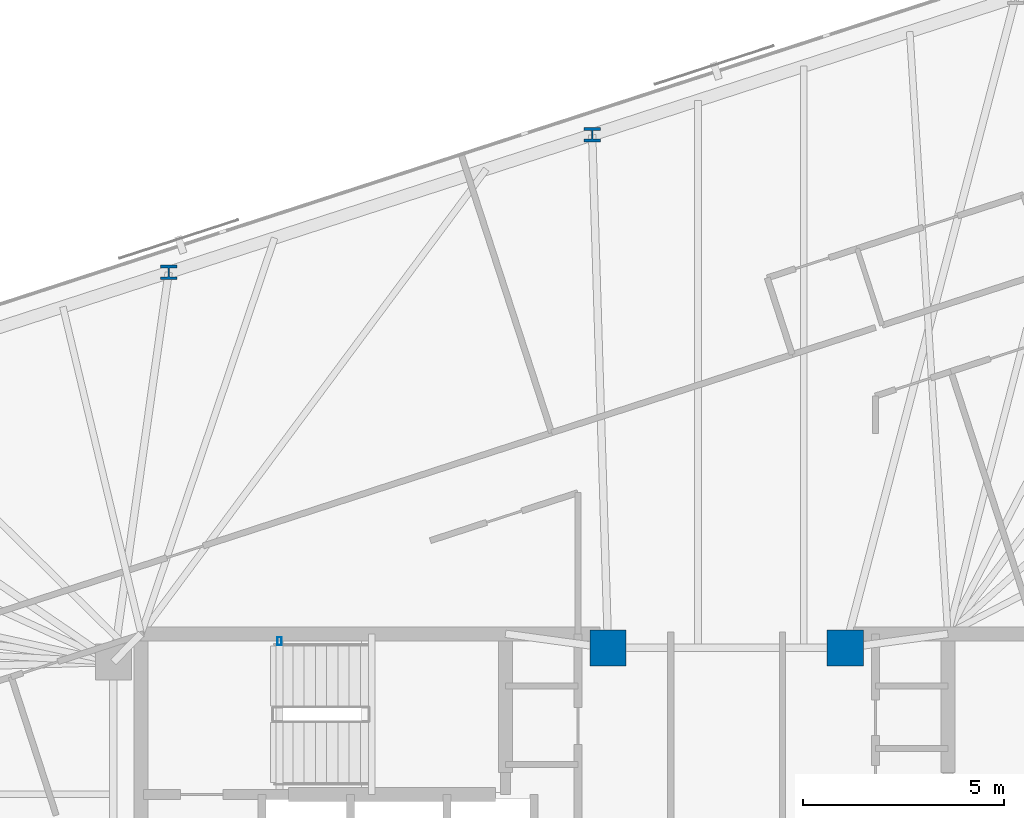
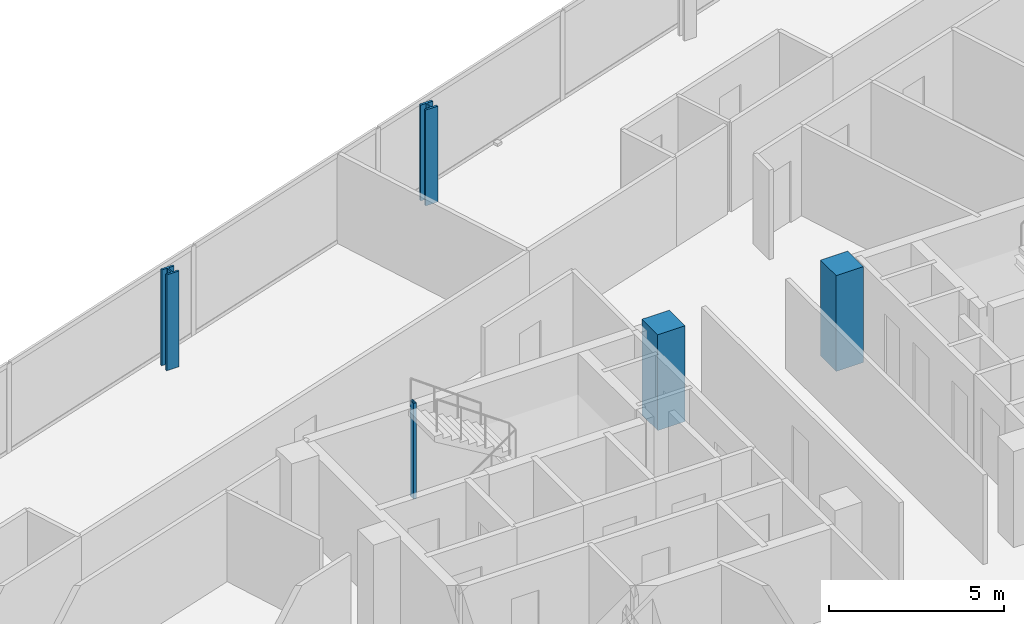
# One storey, part 2 of 19: 5 columns.
"""IFC4 building model written with IfcOpenShell, lengths in metres."""

from ifc_helpers import new_model, si_unit, direction, frame, origin, origin_2d, place, context, subcontext, project, spatial, rectangle, hollow_rectangle, i_section, extrude, material, material_profile, profile_set, type_object, element, save


model = new_model("IFC4")

# Units and contexts
model_context = context("Model", 3, precision=1e-05, world=origin(), true_north=direction((0.0, 1.0)))
body_context = subcontext(model_context, "Body", "Model", "MODEL_VIEW")
ifc_project = project(units=[si_unit("LENGTHUNIT", "METRE"), si_unit("AREAUNIT", "SQUARE_METRE"), si_unit("VOLUMEUNIT", "CUBIC_METRE"), si_unit("PLANEANGLEUNIT", "RADIAN"), si_unit("MASSUNIT", "GRAM", prefix="KILO")], contexts=[model_context])

# Site, building, storey
site_placement = place(None, origin())
site = spatial("IfcSite", under=ifc_project, at=site_placement, CompositionType="ELEMENT")
building_placement = place(site_placement, origin())
building = spatial("IfcBuilding", under=site, at=building_placement, Name="Menara Jurai Vektor", CompositionType="ELEMENT")
storey_placement = place(building_placement, frame((0.0, 0.0, 234.35009765625)))
storey = spatial("IfcBuildingStorey", under=building, at=storey_placement, Name="L62", CompositionType="ELEMENT", Elevation=234.35009765625)

# Columns
ifc_material_1 = material(Name="Concrete C50/60", Category="concrete")
ifc_material_profile_1 = material_profile(ifc_material_1, rectangle(XDim=0.89990234375, YDim=0.89990234375, at=origin_2d()), Name="RC 900x900")
ifc_profile_set_1 = profile_set([ifc_material_profile_1], Name="Concrete C50/60")
column_type_1 = type_object("IfcColumnType", Name="STR-COL-RC900", PredefinedType="COLUMN", material=ifc_profile_set_1)
for number, where, z_axis, x_axis, name in (
    (1, (-2.949951171875, 5.25, 0.0), (0.0, 0.0, 1.0), (1.0, 0.0, 0.0), "Core Spine Column CW-NE L62"),
    (2, (2.949951171875, 5.25, 0.0), (0.0, 0.0, 1.0), (1.0, 0.0, 0.0), "Core Spine Column CE-NW L62"),
):
    element("IfcColumn", number, at=place(storey_placement, frame(where, z_axis=z_axis, x_axis=x_axis)), inside=storey, type_object=column_type_1, Name=name, PredefinedType="COLUMN", context=body_context, shape_type="SweptSolid", body=[
        extrude(rectangle(XDim=0.89990234375, YDim=0.89990234375, at=origin_2d()), origin(), (0.0, 0.0, 1.0), 3.349853515625),
    ])
ifc_material_2 = material(Name="Steel S355", Category="steel")
ifc_material_profile_2 = material_profile(ifc_material_2, hollow_rectangle(XDim=0.10009765625, YDim=0.199951171875, WallThickness=0.008056640625, at=origin_2d()), Name="RHS 200x100x8")
ifc_profile_set_2 = profile_set([ifc_material_profile_2], Name="Steel S355")
column_type_2 = type_object("IfcColumnType", Name="STR-COL-STAIR", PredefinedType="COLUMN", material=ifc_profile_set_2)
column_placement = place(storey_placement, frame((-11.1201171875, 5.419921875, 0.0), z_axis=(0.0, 0.0, 1.0), x_axis=(1.0, 0.0, 0.0)))
element("IfcColumn", 3, at=column_placement, inside=storey, type_object=column_type_2, Name="Stair Well Header Column ST1-P2 L62", PredefinedType="COLUMN", context=body_context, shape_type="SweptSolid", body=[
    extrude(hollow_rectangle(XDim=0.10009765625, YDim=0.199951171875, WallThickness=0.008056640625, at=origin_2d()), origin(), (0.0, 0.0, 1.0), 3.349853515625),
])
ifc_material_3 = material(Name="Steel S460", Category="steel")
ifc_material_profile_3 = material_profile(ifc_material_3, i_section(OverallWidth=0.405029296875, OverallDepth=0.35498046875, WebThickness=0.0419921875, FlangeThickness=0.068115234375, FilletRadius=0.014892578125, at=origin_2d()), Name="HD 400x551")
ifc_profile_set_3 = profile_set([ifc_material_profile_3], Name="Steel S460")
column_type_3 = type_object("IfcColumnType", Name="STR-EXO-BLK4", PredefinedType="COLUMN", material=ifc_profile_set_3)
for number, where, z_axis, x_axis, name in (
    (4, (-3.345703125, 18.008544921875, 0.0), (0.0, 0.0, 1.0), (1.0, 0.0, 0.0), "Exoskeleton Column BLK4-N3 L62"),
    (5, (-13.875, 14.58740234375, 0.0), (0.0, 0.0, 1.0), (1.0, 0.0, 0.0), "Exoskeleton Column BLK4-N4 L62"),
):
    element("IfcColumn", number, at=place(storey_placement, frame(where, z_axis=z_axis, x_axis=x_axis)), inside=storey, type_object=column_type_3, Name=name, PredefinedType="COLUMN", context=body_context, shape_type="SweptSolid", body=[
        extrude(i_section(OverallWidth=0.405029296875, OverallDepth=0.35498046875, WebThickness=0.0419921875, FlangeThickness=0.068115234375, FilletRadius=0.014892578125, at=origin_2d()), origin(), (0.0, 0.0, 1.0), 3.349853515625),
    ])

save(model, "model.ifc")
